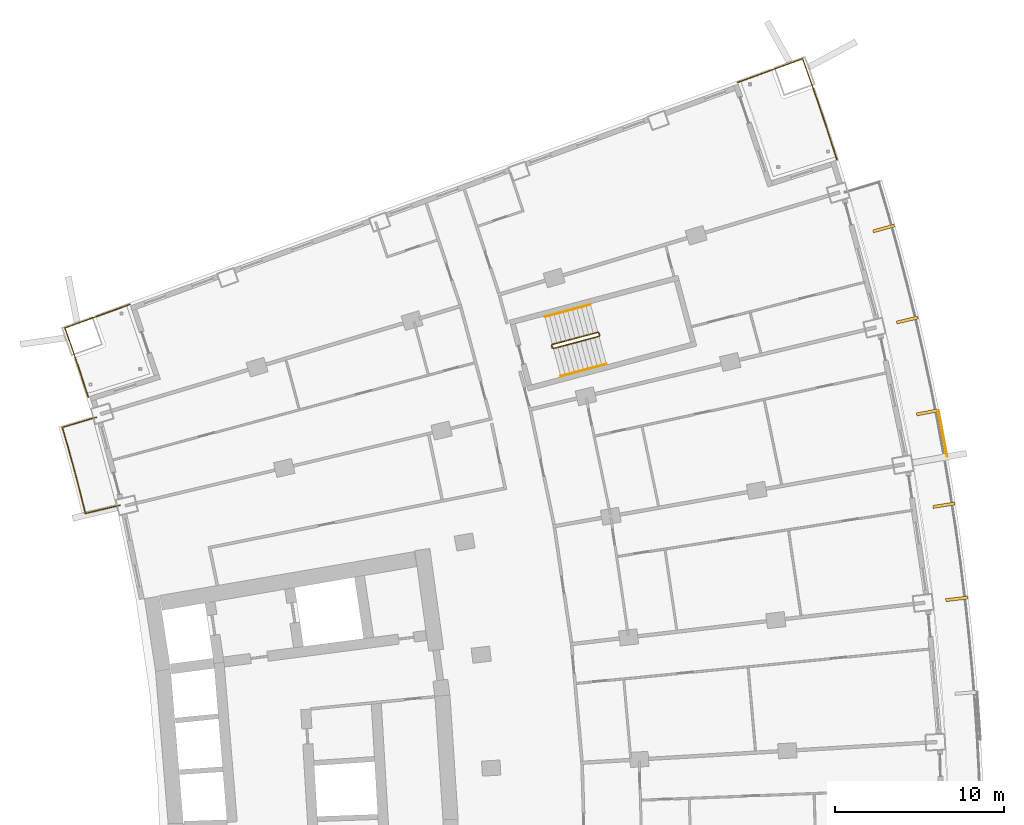
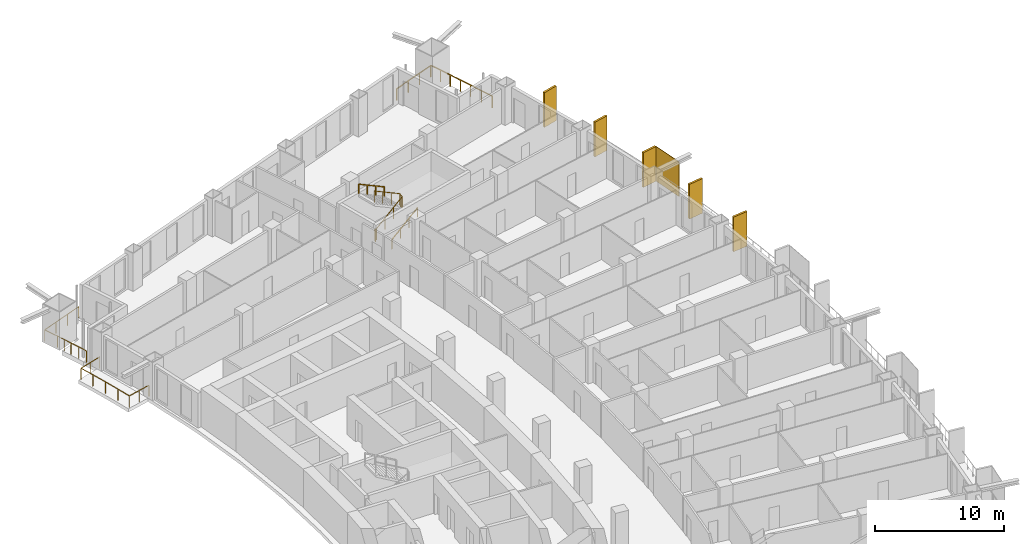
# One storey, part 23 of 23: 6 railings, 6 shading devices.
"""IFC4 building model written with IfcOpenShell, lengths in metres."""

from ifc_helpers import new_model, si_unit, direction, frame, origin, origin_2d, place, context, subcontext, project, spatial, rectangle, extrude, material, layer, layer_set, type_object, element, save


model = new_model("IFC4")

# Units and contexts
model_context = context("Model", 3, precision=1e-05, world=origin(), true_north=direction((0.0, 1.0)))
body_context = subcontext(model_context, "Body", "Model", "MODEL_VIEW")
ifc_project = project(units=[si_unit("LENGTHUNIT", "METRE"), si_unit("AREAUNIT", "SQUARE_METRE"), si_unit("VOLUMEUNIT", "CUBIC_METRE"), si_unit("PLANEANGLEUNIT", "RADIAN"), si_unit("MASSUNIT", "GRAM", prefix="KILO")], contexts=[model_context])

# Site, building, storey
site_placement = place(None, origin())
site = spatial("IfcSite", under=ifc_project, at=site_placement, CompositionType="ELEMENT")
building_placement = place(site_placement, origin())
building = spatial("IfcBuilding", under=site, at=building_placement, Name="Alderwake Tower", CompositionType="ELEMENT")
storey_placement = place(building_placement, frame((0.0, 0.0, 71.60009765625)))
storey = spatial("IfcBuildingStorey", under=building, at=storey_placement, Name="L17", CompositionType="ELEMENT", Elevation=71.60009765625)

# Railings
ifc_material_1 = material(Name="Stainless steel 316 rail and posts", Category="steel")
railing_type_1 = type_object("IfcRailingType", Name="Balcony guard 1100", PredefinedType="GUARDRAIL", material=ifc_material_1)
railing_1_placement = place(storey_placement, frame((13.5693359375, 83.343017578125, 0.0)))
element("IfcRailing", 1, at=railing_1_placement, inside=storey, type_object=railing_type_1, Name="Guard BR11", PredefinedType="GUARDRAIL", context=body_context, shape_type="SweptSolid", body=[
    extrude(rectangle(XDim=0.048095703125, YDim=0.048095703125, at=origin_2d()), frame((0.0, 0.0, 1.076171875), z_axis=(-0.972646310656, -0.232291098337, 0.0), x_axis=(0.232291098337, -0.972646310656, 0.0)), (0.0, 0.0, 1.0), 2.099853515625),
    extrude(rectangle(XDim=0.048095703125, YDim=0.048095703125, at=origin_2d()), frame((-2.04248046875, -0.48779296875, 1.076171875), z_axis=(-0.238877101641, 0.971049808358, 0.0), x_axis=(-0.971049808358, -0.238877101641, 0.0)), (0.0, 0.0, 1.0), 1.2724609375),
    extrude(rectangle(XDim=0.048095703125, YDim=0.048095703125, at=origin_2d()), frame((-2.346435546875, 0.747802734375, 1.076171875), z_axis=(-0.252487086228, 0.967600264204, 0.0), x_axis=(-0.967600264204, -0.252487086228, 0.0)), (0.0, 0.0, 1.0), 1.3720703125),
    extrude(rectangle(XDim=0.048095703125, YDim=0.048095703125, at=origin_2d()), frame((-2.69287109375, 2.075439453125, 1.076171875), z_axis=(-0.266487604617, 0.963838345671, 0.0), x_axis=(-0.963838345671, -0.266487604617, 0.0)), (0.0, 0.0, 1.0), 1.372314453125),
    extrude(rectangle(XDim=0.048095703125, YDim=0.048095703125, at=origin_2d()), frame((-3.05859375, 3.398193359375, 1.076171875), z_axis=(-0.279963157487, 0.960010744966, 0.0), x_axis=(-0.960010744966, -0.279963157487, 0.0)), (0.0, 0.0, 1.0), 1.272216796875),
    extrude(rectangle(XDim=0.048095703125, YDim=0.048095703125, at=origin_2d()), frame((-3.414794921875, 4.61962890625, 1.076171875), z_axis=(0.958091458885, 0.286462486918, 0.0), x_axis=(-0.286462486918, 0.958091458885, 0.0)), (0.0, 0.0, 1.0), 2.099853515625),
    extrude(rectangle(XDim=0.0419921875, YDim=0.0419921875, at=origin_2d()), frame((0.0, 0.0, 0.0), z_axis=(0.0, 0.0, 1.0), x_axis=(-0.972646310656, -0.232291098337, 0.0)), (0.0, 0.0, 1.0), 1.052001953125),
    extrude(rectangle(XDim=0.0419921875, YDim=0.0419921875, at=origin_2d()), frame((-1.021240234375, -0.243896484375, 0.0), z_axis=(0.0, 0.0, 1.0), x_axis=(-0.972646310656, -0.232291098337, 0.0)), (0.0, 0.0, 1.0), 1.052001953125),
    extrude(rectangle(XDim=0.0419921875, YDim=0.0419921875, at=origin_2d()), frame((-2.04248046875, -0.48779296875, 0.0), z_axis=(0.0, 0.0, 1.0), x_axis=(-0.238877101641, 0.971049808358, 0.0)), (0.0, 0.0, 1.0), 1.052001953125),
    extrude(rectangle(XDim=0.0419921875, YDim=0.0419921875, at=origin_2d()), frame((-2.346435546875, 0.747802734375, 0.0), z_axis=(0.0, 0.0, 1.0), x_axis=(-0.252487086228, 0.967600264204, 0.0)), (0.0, 0.0, 1.0), 1.052001953125),
    extrude(rectangle(XDim=0.0419921875, YDim=0.0419921875, at=origin_2d()), frame((-2.69287109375, 2.075439453125, 0.0), z_axis=(0.0, 0.0, 1.0), x_axis=(-0.266487604617, 0.963838345671, 0.0)), (0.0, 0.0, 1.0), 1.052001953125),
    extrude(rectangle(XDim=0.0419921875, YDim=0.0419921875, at=origin_2d()), frame((-3.05859375, 3.398193359375, 0.0), z_axis=(0.0, 0.0, 1.0), x_axis=(-0.279963157487, 0.960010744966, 0.0)), (0.0, 0.0, 1.0), 1.052001953125),
    extrude(rectangle(XDim=0.0419921875, YDim=0.0419921875, at=origin_2d()), frame((-3.414794921875, 4.61962890625, 0.0), z_axis=(0.0, 0.0, 1.0), x_axis=(0.958091458885, 0.286462486918, 0.0)), (0.0, 0.0, 1.0), 1.052001953125),
    extrude(rectangle(XDim=0.0419921875, YDim=0.0419921875, at=origin_2d()), frame((-2.40869140625, 4.92041015625, 0.0), z_axis=(0.0, 0.0, 1.0), x_axis=(0.958091458885, 0.286462486918, 0.0)), (0.0, 0.0, 1.0), 1.052001953125),
    extrude(rectangle(XDim=0.0419921875, YDim=0.0419921875, at=origin_2d()), frame((-1.40283203125, 5.22119140625, 0.0), z_axis=(0.0, 0.0, 1.0), x_axis=(0.958091458885, 0.286462486918, 0.0)), (0.0, 0.0, 1.0), 1.052001953125),
])
railing_2_placement = place(storey_placement, frame((56.12060546875, 103.831298828125, 0.0)))
element("IfcRailing", 2, at=railing_2_placement, inside=storey, type_object=railing_type_1, Name="Guard terrace FN", PredefinedType="GUARDRAIL", context=body_context, shape_type="SweptSolid", body=[
    extrude(rectangle(XDim=0.048095703125, YDim=0.048095703125, at=origin_2d()), frame((0.0, 0.0, 1.076171875), z_axis=(-0.307834534449, 0.951439908455, 0.0), x_axis=(-0.951439908455, -0.307834534449, 0.0)), (0.0, 0.0, 1.0), 2.281005859375),
    extrude(rectangle(XDim=0.048095703125, YDim=0.048095703125, at=origin_2d()), frame((-0.7021484375, 2.170166015625, 1.076171875), z_axis=(-0.322274982341, 0.946646098475, 0.0), x_axis=(-0.946646098475, -0.322274982341, 0.0)), (0.0, 0.0, 1.0), 2.0810546875),
    extrude(rectangle(XDim=0.048095703125, YDim=0.048095703125, at=origin_2d()), frame((-1.372802734375, 4.14013671875, 1.076171875), z_axis=(-0.335680571726, 0.941975877486, 0.0), x_axis=(-0.941975877486, -0.335680571726, 0.0)), (0.0, 0.0, 1.0), 1.981201171875),
    extrude(rectangle(XDim=0.048095703125, YDim=0.048095703125, at=origin_2d()), frame((-2.037841796875, 6.00634765625, 1.076171875), z_axis=(-0.939605522223, -0.34225934992, 0.0), x_axis=(0.34225934992, -0.939605522223, 0.0)), (0.0, 0.0, 1.0), 4.10009765625),
    extrude(rectangle(XDim=0.0419921875, YDim=0.0419921875, at=origin_2d()), frame((0.0, 0.0, 0.0), z_axis=(0.0, 0.0, 1.0), x_axis=(-0.307834534449, 0.951439908455, 0.0)), (0.0, 0.0, 1.0), 1.052001953125),
    extrude(rectangle(XDim=0.0419921875, YDim=0.0419921875, at=origin_2d()), frame((-0.35107421875, 1.0849609375, 0.0), z_axis=(0.0, 0.0, 1.0), x_axis=(-0.307834534449, 0.951439908455, 0.0)), (0.0, 0.0, 1.0), 1.052001953125),
    extrude(rectangle(XDim=0.0419921875, YDim=0.0419921875, at=origin_2d()), frame((-0.7021484375, 2.170166015625, 0.0), z_axis=(0.0, 0.0, 1.0), x_axis=(-0.322274982341, 0.946646098475, 0.0)), (0.0, 0.0, 1.0), 1.052001953125),
    extrude(rectangle(XDim=0.0419921875, YDim=0.0419921875, at=origin_2d()), frame((-1.03759765625, 3.1552734375, 0.0), z_axis=(0.0, 0.0, 1.0), x_axis=(-0.322274982341, 0.946646098475, 0.0)), (0.0, 0.0, 1.0), 1.052001953125),
    extrude(rectangle(XDim=0.0419921875, YDim=0.0419921875, at=origin_2d()), frame((-1.372802734375, 4.14013671875, 0.0), z_axis=(0.0, 0.0, 1.0), x_axis=(-0.335680571726, 0.941975877486, 0.0)), (0.0, 0.0, 1.0), 1.052001953125),
    extrude(rectangle(XDim=0.0419921875, YDim=0.0419921875, at=origin_2d()), frame((-1.705322265625, 5.0732421875, 0.0), z_axis=(0.0, 0.0, 1.0), x_axis=(-0.335680571726, 0.941975877486, 0.0)), (0.0, 0.0, 1.0), 1.052001953125),
    extrude(rectangle(XDim=0.0419921875, YDim=0.0419921875, at=origin_2d()), frame((-2.037841796875, 6.00634765625, 0.0), z_axis=(0.0, 0.0, 1.0), x_axis=(-0.939605522223, -0.34225934992, 0.0)), (0.0, 0.0, 1.0), 1.052001953125),
    extrude(rectangle(XDim=0.0419921875, YDim=0.0419921875, at=origin_2d()), frame((-3.322021484375, 5.53857421875, 0.0), z_axis=(0.0, 0.0, 1.0), x_axis=(-0.939605522223, -0.34225934992, 0.0)), (0.0, 0.0, 1.0), 1.052001953125),
    extrude(rectangle(XDim=0.0419921875, YDim=0.0419921875, at=origin_2d()), frame((-4.606201171875, 5.07080078125, 0.0), z_axis=(0.0, 0.0, 1.0), x_axis=(-0.939605522223, -0.34225934992, 0.0)), (0.0, 0.0, 1.0), 1.052001953125),
    extrude(rectangle(XDim=0.0419921875, YDim=0.0419921875, at=origin_2d()), frame((-5.890380859375, 4.60302734375, 0.0), z_axis=(0.0, 0.0, 1.0), x_axis=(-0.939605522223, -0.34225934992, 0.0)), (0.0, 0.0, 1.0), 1.052001953125),
])
railing_3_placement = place(storey_placement, frame((11.688720703125, 89.781982421875, 0.0)))
element("IfcRailing", 3, at=railing_3_placement, inside=storey, type_object=railing_type_1, Name="Guard terrace RN", PredefinedType="GUARDRAIL", context=body_context, shape_type="SweptSolid", body=[
    extrude(rectangle(XDim=0.048095703125, YDim=0.048095703125, at=origin_2d()), frame((0.0, 0.0, 1.076171875), z_axis=(-0.307479326145, 0.951554761426, 0.0), x_axis=(-0.951554761426, -0.307479326145, 0.0)), (0.0, 0.0, 1.0), 1.6015625),
    extrude(rectangle(XDim=0.048095703125, YDim=0.048095703125, at=origin_2d()), frame((-0.492431640625, 1.52392578125, 1.076171875), z_axis=(-0.322283727344, 0.946643121292, 0.0), x_axis=(-0.946643121292, -0.322283727344, 0.0)), (0.0, 0.0, 1.0), 1.4013671875),
    extrude(rectangle(XDim=0.048095703125, YDim=0.048095703125, at=origin_2d()), frame((-0.944091796875, 2.8505859375, 1.076171875), z_axis=(-0.335468607403, 0.942051385778, 0.0), x_axis=(-0.942051385778, -0.335468607403, 0.0)), (0.0, 0.0, 1.0), 1.30126953125),
    extrude(rectangle(XDim=0.048095703125, YDim=0.048095703125, at=origin_2d()), frame((-1.380615234375, 4.076416015625, 1.076171875), z_axis=(0.939708203232, 0.341977327873, 0.0), x_axis=(-0.341977327873, 0.939708203232, 0.0)), (0.0, 0.0, 1.0), 4.10009765625),
    extrude(rectangle(XDim=0.0419921875, YDim=0.0419921875, at=origin_2d()), frame((0.0, 0.0, 0.0), z_axis=(0.0, 0.0, 1.0), x_axis=(-0.307479326145, 0.951554761426, 0.0)), (0.0, 0.0, 1.0), 1.052001953125),
    extrude(rectangle(XDim=0.0419921875, YDim=0.0419921875, at=origin_2d()), frame((-0.24609375, 0.761962890625, 0.0), z_axis=(0.0, 0.0, 1.0), x_axis=(-0.307479326145, 0.951554761426, 0.0)), (0.0, 0.0, 1.0), 1.052001953125),
    extrude(rectangle(XDim=0.0419921875, YDim=0.0419921875, at=origin_2d()), frame((-0.492431640625, 1.52392578125, 0.0), z_axis=(0.0, 0.0, 1.0), x_axis=(-0.322283727344, 0.946643121292, 0.0)), (0.0, 0.0, 1.0), 1.052001953125),
    extrude(rectangle(XDim=0.0419921875, YDim=0.0419921875, at=origin_2d()), frame((-0.71826171875, 2.187255859375, 0.0), z_axis=(0.0, 0.0, 1.0), x_axis=(-0.322283727344, 0.946643121292, 0.0)), (0.0, 0.0, 1.0), 1.052001953125),
    extrude(rectangle(XDim=0.0419921875, YDim=0.0419921875, at=origin_2d()), frame((-0.944091796875, 2.8505859375, 0.0), z_axis=(0.0, 0.0, 1.0), x_axis=(-0.335468607403, 0.942051385778, 0.0)), (0.0, 0.0, 1.0), 1.052001953125),
    extrude(rectangle(XDim=0.0419921875, YDim=0.0419921875, at=origin_2d()), frame((-1.380615234375, 4.076416015625, 0.0), z_axis=(0.0, 0.0, 1.0), x_axis=(0.939708203232, 0.341977327873, 0.0)), (0.0, 0.0, 1.0), 1.052001953125),
    extrude(rectangle(XDim=0.0419921875, YDim=0.0419921875, at=origin_2d()), frame((-0.096435546875, 4.543701171875, 0.0), z_axis=(0.0, 0.0, 1.0), x_axis=(0.939708203232, 0.341977327873, 0.0)), (0.0, 0.0, 1.0), 1.052001953125),
    extrude(rectangle(XDim=0.0419921875, YDim=0.0419921875, at=origin_2d()), frame((1.18798828125, 5.01123046875, 0.0), z_axis=(0.0, 0.0, 1.0), x_axis=(0.939708203232, 0.341977327873, 0.0)), (0.0, 0.0, 1.0), 1.052001953125),
    extrude(rectangle(XDim=0.0419921875, YDim=0.0419921875, at=origin_2d()), frame((2.47216796875, 5.478515625, 0.0), z_axis=(0.0, 0.0, 1.0), x_axis=(0.939708203232, 0.341977327873, 0.0)), (0.0, 0.0, 1.0), 1.052001953125),
])

# Shading devices
ifc_material_2 = material(Name="Bronze anodised aluminium", Category="aluminium")
ifc_layer_1 = layer(ifc_material_2, 0.179931640625)
ifc_layer_set_1 = layer_set([ifc_layer_1], Name="Facade fin 1300")
shading_device_type_1 = type_object("IfcShadingDeviceType", Name="Facade fin 1300", PredefinedType="USERDEFINED", material=ifc_layer_set_1)
for number, where, z_axis, x_axis, name in (
    (4, (63.21923828125, 77.7900390625, 0.0), (0.0, 0.0, 1.0), (0.993198315083, 0.116434990084, 0.0), "Fin"),
    (5, (62.4580078125, 83.34716796875, 0.0), (0.0, 0.0, 1.0), (0.987918787879, 0.154972476771, 0.0), "Fin"),
    (6, (61.48388671875, 88.856201171875, 0.0), (0.0, 0.0, 1.0), (0.981163751315, 0.193177879441, 0.0), "Fin"),
    (7, (60.29345703125, 94.33740234375, 0.0), (0.0, 0.0, 1.0), (0.972908790564, 0.231189284448, 0.0), "Fin"),
    (8, (58.890869140625, 99.768310546875, 0.0), (0.0, 0.0, 1.0), (0.96318180783, 0.268850897459, 0.0), "Fin"),
):
    element("IfcShadingDevice", number, at=place(storey_placement, frame(where, z_axis=z_axis, x_axis=x_axis)), inside=storey, type_object=shading_device_type_1, Name=name, ObjectType="FIN", PredefinedType="USERDEFINED", context=body_context, shape_type="SweptSolid", body=[
        extrude(rectangle(XDim=1.300048828125, YDim=0.179931640625, at=origin_2d()), origin(), (0.0, 0.0, 1.0), 3.280029296875),
    ])
ifc_material_3 = material(Name="Perforated bronze anodised aluminium", Category="aluminium")
ifc_layer_2 = layer(ifc_material_3, 0.050048828125)
ifc_layer_set_2 = layer_set([ifc_layer_2], Name="Perforated screen panel")
shading_device_type_2 = type_object("IfcShadingDeviceType", Name="Perforated screen panel", PredefinedType="USERDEFINED", material=ifc_layer_set_2)
shading_device_placement = place(storey_placement, frame((62.404296875, 87.605224609375, 0.0), z_axis=(0.0, 0.0, 1.0), x_axis=(0.982991488043, 0.183651121519, 0.0)))
element("IfcShadingDevice", 9, at=shading_device_placement, inside=storey, type_object=shading_device_type_2, Name="Screen panel", ObjectType="SCREEN", PredefinedType="USERDEFINED", context=body_context, shape_type="SweptSolid", body=[
    extrude(rectangle(XDim=0.050048828125, YDim=2.810546875, at=origin_2d()), origin(), (0.0, 0.0, 1.0), 3.280029296875),
])

# Railings
ifc_material_4 = material(Name="Stainless steel guard", Category="steel")
railing_type_2 = type_object("IfcRailingType", Name="Stair guard 1100", PredefinedType="GUARDRAIL", material=ifc_material_4)
railing_4_placement = place(storey_placement, frame((39.23291015625, 92.6806640625, 0.0)))
element("IfcRailing", 10, at=railing_4_placement, inside=storey, type_object=railing_type_2, Name="L17 ST-A stair guard 1", PredefinedType="GUARDRAIL", context=body_context, shape_type="SweptSolid", body=[
    extrude(rectangle(XDim=0.048095703125, YDim=0.048095703125, at=origin_2d()), frame((0.0, 0.0, 1.076171875), z_axis=(-0.257055032184, 0.966396766566, 0.0), x_axis=(-0.966396766566, -0.257055032184, 0.0)), (0.0, 0.0, 1.0), 0.150146484375),
    extrude(rectangle(XDim=0.048095703125, YDim=0.048095703125, at=origin_2d()), frame((-0.03857421875, 0.14501953125, 1.076171875), z_axis=(0.379370725808, -0.685464465458, 0.621463047167), x_axis=(0.874937996095, 0.484234966715, 0.0)), (0.0, 0.0, 1.0), 0.26318359375),
    extrude(rectangle(XDim=0.048095703125, YDim=0.048095703125, at=origin_2d()), frame((0.061279296875, -0.035400390625, 1.23974609375), z_axis=(0.834290631165, 0.222236594766, 0.504549342183), x_axis=(-0.257402139082, 0.966304371715, 0.0)), (0.0, 0.0, 1.0), 3.242919921875),
    extrude(rectangle(XDim=0.048095703125, YDim=0.048095703125, at=origin_2d()), frame((2.766845703125, 0.685302734375, 2.8759765625), z_axis=(0.500220121494, 0.865898279276, 0.0), x_axis=(-0.865898279276, 0.500220121494, 0.0)), (0.0, 0.0, 1.0), 0.07080078125),
    extrude(rectangle(XDim=0.048095703125, YDim=0.048095703125, at=origin_2d()), frame((2.80224609375, 0.74658203125, 2.8759765625), z_axis=(-0.257459803502, 0.966289009345, 0.0), x_axis=(-0.966289009345, -0.257459803502, 0.0)), (0.0, 0.0, 1.0), 0.14990234375),
    extrude(rectangle(XDim=0.048095703125, YDim=0.048095703125, at=origin_2d()), frame((2.763671875, 0.891357421875, 2.8759765625), z_axis=(-0.34209458732, 0.199783238995, 0.918181872367), x_axis=(-0.504300490226, -0.863528236688, 0.0)), (0.0, 0.0, 1.0), 0.178466796875),
    extrude(rectangle(XDim=0.048095703125, YDim=0.048095703125, at=origin_2d()), frame((2.70263671875, 0.927001953125, 3.03955078125), z_axis=(-0.834313512087, -0.222222637163, 0.504517653885), x_axis=(0.257380452725, -0.966310148221, 0.0)), (0.0, 0.0, 1.0), 3.2431640625),
    extrude(rectangle(XDim=0.0419921875, YDim=0.0419921875, at=origin_2d()), frame((0.0, 0.0, 0.0), z_axis=(0.0, 0.0, 1.0), x_axis=(-0.257055032184, 0.966396766566, 0.0)), (0.0, 0.0, 1.0), 1.052001953125),
    extrude(rectangle(XDim=0.0419921875, YDim=0.0419921875, at=origin_2d()), frame((-0.03857421875, 0.14501953125, 0.0), z_axis=(0.0, 0.0, 1.0), x_axis=(0.484234966715, -0.874937996095, 0.0)), (0.0, 0.0, 1.0), 1.052001953125),
    extrude(rectangle(XDim=0.0419921875, YDim=0.0419921875, at=origin_2d()), frame((0.061279296875, -0.035400390625, 0.16357421875), z_axis=(0.0, 0.0, 1.0), x_axis=(0.966304371715, 0.257402139082, 0.0)), (0.0, 0.0, 1.0), 1.052001953125),
    extrude(rectangle(XDim=0.0419921875, YDim=0.0419921875, at=origin_2d()), frame((0.963134765625, 0.204833984375, 0.708984375), z_axis=(0.0, 0.0, 1.0), x_axis=(0.966304371715, 0.257402139082, 0.0)), (0.0, 0.0, 1.0), 1.052001953125),
    extrude(rectangle(XDim=0.0419921875, YDim=0.0419921875, at=origin_2d()), frame((1.864990234375, 0.445068359375, 1.25439453125), z_axis=(0.0, 0.0, 1.0), x_axis=(0.966304371715, 0.257402139082, 0.0)), (0.0, 0.0, 1.0), 1.052001953125),
    extrude(rectangle(XDim=0.0419921875, YDim=0.0419921875, at=origin_2d()), frame((2.766845703125, 0.685302734375, 1.7998046875), z_axis=(0.0, 0.0, 1.0), x_axis=(0.500220121494, 0.865898279276, 0.0)), (0.0, 0.0, 1.0), 1.052001953125),
    extrude(rectangle(XDim=0.0419921875, YDim=0.0419921875, at=origin_2d()), frame((2.80224609375, 0.74658203125, 1.7998046875), z_axis=(0.0, 0.0, 1.0), x_axis=(-0.257459803502, 0.966289009345, 0.0)), (0.0, 0.0, 1.0), 1.052001953125),
    extrude(rectangle(XDim=0.0419921875, YDim=0.0419921875, at=origin_2d()), frame((2.763671875, 0.891357421875, 1.7998046875), z_axis=(0.0, 0.0, 1.0), x_axis=(-0.863528236688, 0.504300490226, 0.0)), (0.0, 0.0, 1.0), 1.052001953125),
    extrude(rectangle(XDim=0.0419921875, YDim=0.0419921875, at=origin_2d()), frame((2.70263671875, 0.927001953125, 1.963623046875), z_axis=(0.0, 0.0, 1.0), x_axis=(-0.966310148221, -0.257380452725, 0.0)), (0.0, 0.0, 1.0), 1.052001953125),
    extrude(rectangle(XDim=0.0419921875, YDim=0.0419921875, at=origin_2d()), frame((1.80078125, 0.686767578125, 2.509033203125), z_axis=(0.0, 0.0, 1.0), x_axis=(-0.966310148221, -0.257380452725, 0.0)), (0.0, 0.0, 1.0), 1.052001953125),
    extrude(rectangle(XDim=0.0419921875, YDim=0.0419921875, at=origin_2d()), frame((0.898681640625, 0.446533203125, 3.054443359375), z_axis=(0.0, 0.0, 1.0), x_axis=(-0.966310148221, -0.257380452725, 0.0)), (0.0, 0.0, 1.0), 1.052001953125),
    extrude(rectangle(XDim=0.0419921875, YDim=0.0419921875, at=origin_2d()), frame((-0.003173828125, 0.206298828125, 3.599853515625), z_axis=(0.0, 0.0, 1.0), x_axis=(-0.966310148221, -0.257380452725, 0.0)), (0.0, 0.0, 1.0), 1.052001953125),
])
ifc_material_5 = material(Name="Stainless steel handrail", Category="steel")
railing_type_3 = type_object("IfcRailingType", Name="Stair handrail 900", PredefinedType="HANDRAIL", material=ifc_material_5)
railing_5_placement = place(storey_placement, frame((39.731689453125, 91.002685546875, 0.16357421875)))
element("IfcRailing", 11, at=railing_5_placement, inside=storey, type_object=railing_type_3, Name="L17 ST-A stair handrail 1", PredefinedType="HANDRAIL", context=body_context, shape_type="SweptSolid", body=[
    extrude(rectangle(XDim=0.048095703125, YDim=0.048095703125, at=origin_2d()), frame((0.0, 0.0, 0.8759765625), z_axis=(0.834290631165, 0.222236594766, 0.504549342183), x_axis=(-0.257402139082, 0.966304371715, 0.0)), (0.0, 0.0, 1.0), 3.242919921875),
    extrude(rectangle(XDim=0.0419921875, YDim=0.0419921875, at=origin_2d()), frame((0.0, 0.0, 0.0), z_axis=(0.0, 0.0, 1.0), x_axis=(0.966304371715, 0.257402139082, 0.0)), (0.0, 0.0, 1.0), 0.851806640625),
    extrude(rectangle(XDim=0.0419921875, YDim=0.0419921875, at=origin_2d()), frame((0.90185546875, 0.240234375, 0.54541015625), z_axis=(0.0, 0.0, 1.0), x_axis=(0.966304371715, 0.257402139082, 0.0)), (0.0, 0.0, 1.0), 0.851806640625),
    extrude(rectangle(XDim=0.0419921875, YDim=0.0419921875, at=origin_2d()), frame((1.8037109375, 0.48046875, 1.0908203125), z_axis=(0.0, 0.0, 1.0), x_axis=(0.966304371715, 0.257402139082, 0.0)), (0.0, 0.0, 1.0), 0.851806640625),
    extrude(rectangle(XDim=0.0419921875, YDim=0.0419921875, at=origin_2d()), frame((2.70556640625, 0.720703125, 1.63623046875), z_axis=(0.0, 0.0, 1.0), x_axis=(0.966304371715, 0.257402139082, 0.0)), (0.0, 0.0, 1.0), 0.851806640625),
])
railing_6_placement = place(storey_placement, frame((41.497802734375, 95.250244140625, 1.963623046875)))
element("IfcRailing", 12, at=railing_6_placement, inside=storey, type_object=railing_type_3, Name="L17 ST-A stair handrail 2", PredefinedType="HANDRAIL", context=body_context, shape_type="SweptSolid", body=[
    extrude(rectangle(XDim=0.048095703125, YDim=0.048095703125, at=origin_2d()), frame((0.0, 0.0, 0.8759765625), z_axis=(-0.834290631165, -0.222236594766, 0.504549342183), x_axis=(0.257402139082, -0.966304371715, 0.0)), (0.0, 0.0, 1.0), 3.242919921875),
    extrude(rectangle(XDim=0.0419921875, YDim=0.0419921875, at=origin_2d()), frame((0.0, 0.0, 0.0), z_axis=(0.0, 0.0, 1.0), x_axis=(-0.966304371715, -0.257402139082, 0.0)), (0.0, 0.0, 1.0), 0.851806640625),
    extrude(rectangle(XDim=0.0419921875, YDim=0.0419921875, at=origin_2d()), frame((-0.90185546875, -0.240234375, 0.54541015625), z_axis=(0.0, 0.0, 1.0), x_axis=(-0.966304371715, -0.257402139082, 0.0)), (0.0, 0.0, 1.0), 0.851806640625),
    extrude(rectangle(XDim=0.0419921875, YDim=0.0419921875, at=origin_2d()), frame((-1.8037109375, -0.48046875, 1.0908203125), z_axis=(0.0, 0.0, 1.0), x_axis=(-0.966304371715, -0.257402139082, 0.0)), (0.0, 0.0, 1.0), 0.851806640625),
    extrude(rectangle(XDim=0.0419921875, YDim=0.0419921875, at=origin_2d()), frame((-2.70556640625, -0.720703125, 1.63623046875), z_axis=(0.0, 0.0, 1.0), x_axis=(-0.966304371715, -0.257402139082, 0.0)), (0.0, 0.0, 1.0), 0.851806640625),
])

save(model, "model.ifc")
